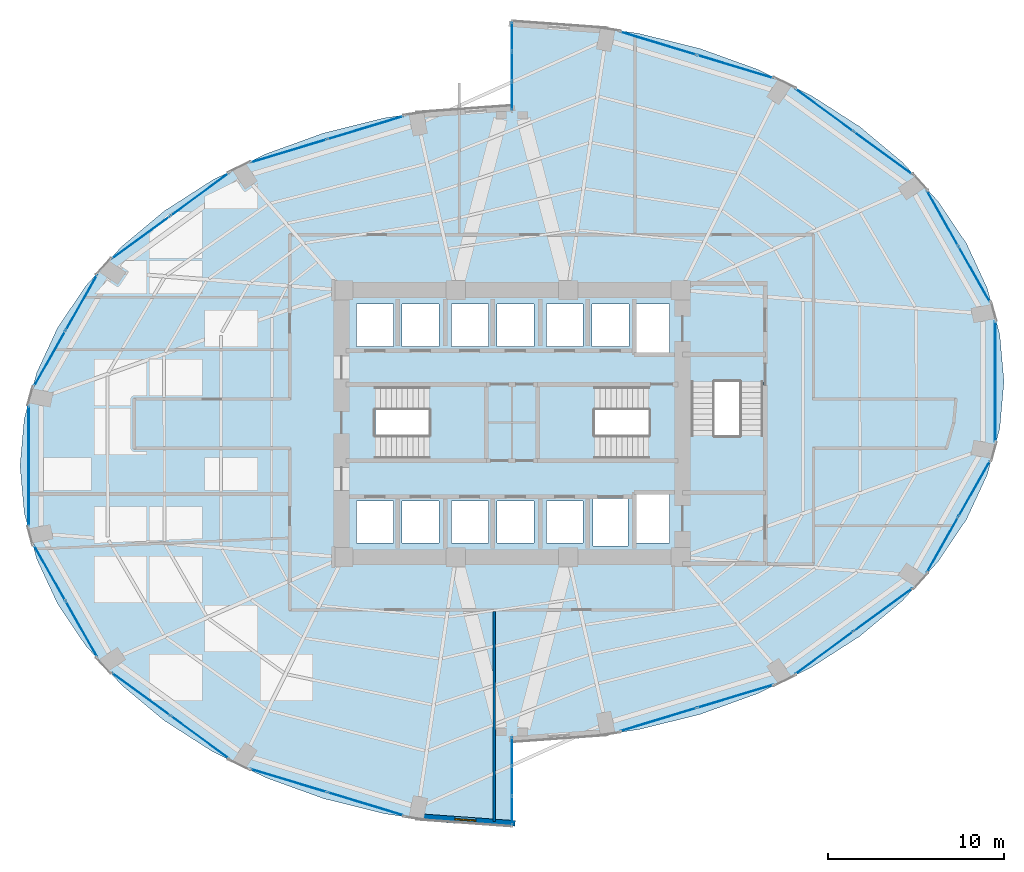
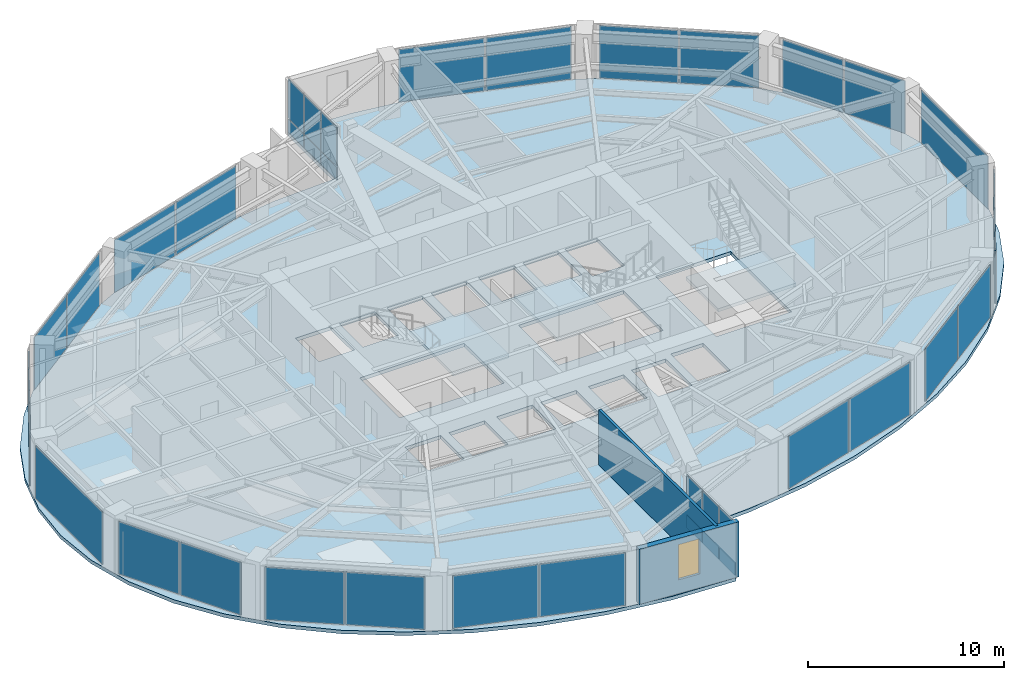
# One storey, part 20 of 25: 38 plates, 4 slabs, 2 walls, 1 window, 1 opening, 19 elements without a shape of their own.
"""IFC4 building model written with IfcOpenShell, lengths in metres."""

from ifc_helpers import new_model, si_unit, direction, frame, frame_2d, origin, origin_2d, place, context, subcontext, project, spatial, polyline, rectangle, outline, extrude, material, layer, layer_set, type_object, element, fill, aggregate, save


model = new_model("IFC4")

# Units and contexts
model_context = context("Model", 3, precision=1e-05, world=origin(), true_north=direction((0.0, 1.0)))
body_context = subcontext(model_context, "Body", "Model", "MODEL_VIEW")
ifc_project = project(units=[si_unit("LENGTHUNIT", "METRE"), si_unit("AREAUNIT", "SQUARE_METRE"), si_unit("VOLUMEUNIT", "CUBIC_METRE"), si_unit("PLANEANGLEUNIT", "RADIAN"), si_unit("MASSUNIT", "GRAM", prefix="KILO")], contexts=[model_context])

# Site, building, storey
site_placement = place(None, origin())
site = spatial("IfcSite", under=ifc_project, at=site_placement, CompositionType="ELEMENT")
building_placement = place(site_placement, origin())
building = spatial("IfcBuilding", under=site, at=building_placement, Name="Lazwardi Medical Tower", CompositionType="ELEMENT")
storey_placement = place(building_placement, frame((0.0, 0.0, 43.43994140625)))
storey = spatial("IfcBuildingStorey", under=building, at=storey_placement, Name="L10", CompositionType="ELEMENT", Elevation=43.43994140625)

# Curtain wall, plates
ifc_material_1 = material(Name="Anodised bronze aluminium and solar control glazing", Category="aluminium")
ifc_layer_1 = layer(ifc_material_1, 0.199951171875)
ifc_layer_set_1 = layer_set([ifc_layer_1], Name="Anodised bronze aluminium and solar control glazing")
curtain_wall_type_1 = type_object("IfcCurtainWallType", Name="CW-SYS-02", PredefinedType="NOTDEFINED", material=ifc_layer_set_1)
curtain_wall_1_placement = place(storey_placement, origin())
curtain_wall_1 = element("IfcCurtainWall", 1, at=curtain_wall_1_placement, inside=storey, type_object=curtain_wall_type_1, Name="L10 Unitised bronze curtain wall CW-02", PredefinedType="NOTDEFINED")
ifc_material_2 = material(Name="Low-e bronze solar control double glazing", Category="glass")
ifc_layer_2 = layer(ifc_material_2, 0.035888671875)
ifc_layer_set_2 = layer_set([ifc_layer_2], Name="Low-e bronze solar control double glazing")
plate_type_1 = type_object("IfcPlateType", Name="PLT-GLZ-01", PredefinedType="CURTAIN_PANEL", material=ifc_layer_set_2)
plate_1_placement = place(storey_placement, frame((44.335693359375, 11.158935546875, 0.0751953125), z_axis=(0.0, 0.0, 1.0), x_axis=(0.957058247129, 0.2898956909, 0.0)))
plate_1 = element("IfcPlate", 2, at=plate_1_placement, type_object=plate_type_1, Name="CW-02 panel 1.1", PredefinedType="CURTAIN_PANEL", context=body_context, shape_type="SweptSolid", body=[
    extrude(rectangle(XDim=4.49658203125, YDim=0.035888671875, at=origin_2d()), origin(), (0.0, 0.0, 1.0), 3.278076171875),
])
plate_2_placement = place(storey_placement, frame((48.7109375, 12.484130859375, 0.0751953125), z_axis=(0.0, 0.0, 1.0), x_axis=(0.957058247129, 0.2898956909, 0.0)))
plate_2 = element("IfcPlate", 3, at=plate_2_placement, type_object=plate_type_1, Name="CW-02 panel 2.1", PredefinedType="CURTAIN_PANEL", context=body_context, shape_type="SweptSolid", body=[
    extrude(rectangle(XDim=4.49658203125, YDim=0.035888671875, at=origin_2d()), origin(), (0.0, 0.0, 1.0), 3.278076171875),
])
aggregate(curtain_wall_1, [plate_1, plate_2])

curtain_wall_2_placement = place(storey_placement, origin())
curtain_wall_2 = element("IfcCurtainWall", 4, at=curtain_wall_2_placement, inside=storey, type_object=curtain_wall_type_1, Name="L10 Unitised bronze curtain wall CW-02", PredefinedType="NOTDEFINED")
plate_3_placement = place(storey_placement, frame((53.771484375, 14.957275390625, 0.0751953125), z_axis=(0.0, 0.0, 1.0), x_axis=(0.807191757663, 0.590289307341, 0.0)))
plate_3 = element("IfcPlate", 5, at=plate_3_placement, type_object=plate_type_1, Name="CW-02 panel 1.1", PredefinedType="CURTAIN_PANEL", context=body_context, shape_type="SweptSolid", body=[
    extrude(rectangle(XDim=4.070068359375, YDim=0.035888671875, at=origin_2d()), origin(), (0.0, 0.0, 1.0), 3.278076171875),
])
plate_4_placement = place(storey_placement, frame((57.117431640625, 17.404052734375, 0.0751953125), z_axis=(0.0, 0.0, 1.0), x_axis=(0.807191757663, 0.590289307341, 0.0)))
plate_4 = element("IfcPlate", 6, at=plate_4_placement, type_object=plate_type_1, Name="CW-02 panel 2.1", PredefinedType="CURTAIN_PANEL", context=body_context, shape_type="SweptSolid", body=[
    extrude(rectangle(XDim=4.070068359375, YDim=0.035888671875, at=origin_2d()), origin(), (0.0, 0.0, 1.0), 3.278076171875),
])
aggregate(curtain_wall_2, [plate_3, plate_4])

curtain_wall_3_placement = place(storey_placement, origin())
curtain_wall_3 = element("IfcCurtainWall", 7, at=curtain_wall_3_placement, inside=storey, type_object=curtain_wall_type_1, Name="L10 Unitised bronze curtain wall CW-02", PredefinedType="NOTDEFINED")
plate_5_placement = place(storey_placement, frame((60.5009765625, 21.10791015625, 0.0751953125), z_axis=(0.0, 0.0, 1.0), x_axis=(0.492854327303, 0.870111838823, 0.0)))
plate_5 = element("IfcPlate", 8, at=plate_5_placement, type_object=plate_type_1, Name="CW-02 panel 1.1", PredefinedType="CURTAIN_PANEL", context=body_context, shape_type="SweptSolid", body=[
    extrude(rectangle(XDim=3.5947265625, YDim=0.035888671875, at=origin_2d()), origin(), (0.0, 0.0, 1.0), 3.278076171875),
])
plate_6_placement = place(storey_placement, frame((62.3095703125, 24.301025390625, 0.0751953125), z_axis=(0.0, 0.0, 1.0), x_axis=(0.492854327303, 0.870111838823, 0.0)))
plate_6 = element("IfcPlate", 9, at=plate_6_placement, type_object=plate_type_1, Name="CW-02 panel 2.1", PredefinedType="CURTAIN_PANEL", context=body_context, shape_type="SweptSolid", body=[
    extrude(rectangle(XDim=3.5947265625, YDim=0.035888671875, at=origin_2d()), origin(), (0.0, 0.0, 1.0), 3.278076171875),
])
aggregate(curtain_wall_3, [plate_5, plate_6])

# Curtain wall, plate
curtain_wall_4_placement = place(storey_placement, origin())
curtain_wall_4 = element("IfcCurtainWall", 10, at=curtain_wall_4_placement, inside=storey, type_object=curtain_wall_type_1, Name="L10 Unitised bronze curtain wall CW-02", PredefinedType="NOTDEFINED")
plate_7_placement = place(storey_placement, frame((63.49853515625, 30.39990234375, 0.0751953125), z_axis=(0.0, 0.0, 1.0), x_axis=(0.0, 1.0, 0.0)))
plate_7 = element("IfcPlate", 11, at=plate_7_placement, type_object=plate_type_1, Name="CW-02 panel 1.1", PredefinedType="CURTAIN_PANEL", context=body_context, shape_type="SweptSolid", body=[
    extrude(rectangle(XDim=6.8330078125, YDim=0.035888671875, at=origin_2d()), origin(), (0.0, 0.0, 1.0), 3.278076171875),
])
aggregate(curtain_wall_4, [plate_7])

# Curtain wall, plates
curtain_wall_5_placement = place(storey_placement, origin())
curtain_wall_5 = element("IfcCurtainWall", 12, at=curtain_wall_5_placement, inside=storey, type_object=curtain_wall_type_1, Name="L10 Unitised bronze curtain wall CW-02", PredefinedType="NOTDEFINED")
plate_8_placement = place(storey_placement, frame((62.3095703125, 36.498779296875, 0.0751953125), z_axis=(0.0, 0.0, 1.0), x_axis=(-0.492854327303, 0.870111838823, 0.0)))
plate_8 = element("IfcPlate", 13, at=plate_8_placement, type_object=plate_type_1, Name="CW-02 panel 1.1", PredefinedType="CURTAIN_PANEL", context=body_context, shape_type="SweptSolid", body=[
    extrude(rectangle(XDim=3.5947265625, YDim=0.035888671875, at=origin_2d()), origin(), (0.0, 0.0, 1.0), 3.278076171875),
])
plate_9_placement = place(storey_placement, frame((60.5009765625, 39.69189453125, 0.0751953125), z_axis=(0.0, 0.0, 1.0), x_axis=(-0.492854327303, 0.870111838823, 0.0)))
plate_9 = element("IfcPlate", 14, at=plate_9_placement, type_object=plate_type_1, Name="CW-02 panel 2.1", PredefinedType="CURTAIN_PANEL", context=body_context, shape_type="SweptSolid", body=[
    extrude(rectangle(XDim=3.5947265625, YDim=0.035888671875, at=origin_2d()), origin(), (0.0, 0.0, 1.0), 3.278076171875),
])
aggregate(curtain_wall_5, [plate_8, plate_9])

curtain_wall_6_placement = place(storey_placement, origin())
curtain_wall_6 = element("IfcCurtainWall", 15, at=curtain_wall_6_placement, inside=storey, type_object=curtain_wall_type_1, Name="L10 Unitised bronze curtain wall CW-02", PredefinedType="NOTDEFINED")
plate_10_placement = place(storey_placement, frame((57.117431640625, 43.39599609375, 0.0751953125), z_axis=(0.0, 0.0, 1.0), x_axis=(-0.807191757663, 0.590289307341, 0.0)))
plate_10 = element("IfcPlate", 16, at=plate_10_placement, type_object=plate_type_1, Name="CW-02 panel 1.1", PredefinedType="CURTAIN_PANEL", context=body_context, shape_type="SweptSolid", body=[
    extrude(rectangle(XDim=4.070068359375, YDim=0.035888671875, at=origin_2d()), origin(), (0.0, 0.0, 1.0), 3.278076171875),
])
plate_11_placement = place(storey_placement, frame((53.771484375, 45.8427734375, 0.0751953125), z_axis=(0.0, 0.0, 1.0), x_axis=(-0.807191757663, 0.590289307341, 0.0)))
plate_11 = element("IfcPlate", 17, at=plate_11_placement, type_object=plate_type_1, Name="CW-02 panel 2.1", PredefinedType="CURTAIN_PANEL", context=body_context, shape_type="SweptSolid", body=[
    extrude(rectangle(XDim=4.070068359375, YDim=0.035888671875, at=origin_2d()), origin(), (0.0, 0.0, 1.0), 3.278076171875),
])
aggregate(curtain_wall_6, [plate_10, plate_11])

curtain_wall_7_placement = place(storey_placement, origin())
curtain_wall_7 = element("IfcCurtainWall", 18, at=curtain_wall_7_placement, inside=storey, type_object=curtain_wall_type_1, Name="L10 Unitised bronze curtain wall CW-02", PredefinedType="NOTDEFINED")
plate_12_placement = place(storey_placement, frame((48.7109375, 48.31591796875, 0.0751953125), z_axis=(0.0, 0.0, 1.0), x_axis=(-0.957058247129, 0.2898956909, 0.0)))
plate_12 = element("IfcPlate", 19, at=plate_12_placement, type_object=plate_type_1, Name="CW-02 panel 1.1", PredefinedType="CURTAIN_PANEL", context=body_context, shape_type="SweptSolid", body=[
    extrude(rectangle(XDim=4.49658203125, YDim=0.035888671875, at=origin_2d()), origin(), (0.0, 0.0, 1.0), 3.278076171875),
])
plate_13_placement = place(storey_placement, frame((44.335693359375, 49.64111328125, 0.0751953125), z_axis=(0.0, 0.0, 1.0), x_axis=(-0.957058247129, 0.2898956909, 0.0)))
plate_13 = element("IfcPlate", 20, at=plate_13_placement, type_object=plate_type_1, Name="CW-02 panel 2.1", PredefinedType="CURTAIN_PANEL", context=body_context, shape_type="SweptSolid", body=[
    extrude(rectangle(XDim=4.49658203125, YDim=0.035888671875, at=origin_2d()), origin(), (0.0, 0.0, 1.0), 3.278076171875),
])
aggregate(curtain_wall_7, [plate_12, plate_13])

curtain_wall_8_placement = place(storey_placement, origin())
curtain_wall_8 = element("IfcCurtainWall", 21, at=curtain_wall_8_placement, inside=storey, type_object=curtain_wall_type_1, Name="L10 Unitised bronze curtain wall CW-02", PredefinedType="NOTDEFINED")
plate_14_placement = place(storey_placement, frame((27.664306640625, 44.841064453125, 0.0751953125), z_axis=(0.0, 0.0, 1.0), x_axis=(-0.957058247129, -0.2898956909, 0.0)))
plate_14 = element("IfcPlate", 22, at=plate_14_placement, type_object=plate_type_1, Name="CW-02 panel 1.1", PredefinedType="CURTAIN_PANEL", context=body_context, shape_type="SweptSolid", body=[
    extrude(rectangle(XDim=4.49658203125, YDim=0.035888671875, at=origin_2d()), origin(), (0.0, 0.0, 1.0), 3.278076171875),
])
plate_15_placement = place(storey_placement, frame((23.2890625, 43.515869140625, 0.0751953125), z_axis=(0.0, 0.0, 1.0), x_axis=(-0.957058247129, -0.2898956909, 0.0)))
plate_15 = element("IfcPlate", 23, at=plate_15_placement, type_object=plate_type_1, Name="CW-02 panel 2.1", PredefinedType="CURTAIN_PANEL", context=body_context, shape_type="SweptSolid", body=[
    extrude(rectangle(XDim=4.49658203125, YDim=0.035888671875, at=origin_2d()), origin(), (0.0, 0.0, 1.0), 3.278076171875),
])
aggregate(curtain_wall_8, [plate_14, plate_15])

curtain_wall_9_placement = place(storey_placement, origin())
curtain_wall_9 = element("IfcCurtainWall", 24, at=curtain_wall_9_placement, inside=storey, type_object=curtain_wall_type_1, Name="L10 Unitised bronze curtain wall CW-02", PredefinedType="NOTDEFINED")
plate_16_placement = place(storey_placement, frame((18.228515625, 41.042724609375, 0.0751953125), z_axis=(0.0, 0.0, 1.0), x_axis=(-0.807191757663, -0.590289307341, 0.0)))
plate_16 = element("IfcPlate", 25, at=plate_16_placement, type_object=plate_type_1, Name="CW-02 panel 1.1", PredefinedType="CURTAIN_PANEL", context=body_context, shape_type="SweptSolid", body=[
    extrude(rectangle(XDim=4.070068359375, YDim=0.035888671875, at=origin_2d()), origin(), (0.0, 0.0, 1.0), 3.278076171875),
])
plate_17_placement = place(storey_placement, frame((14.882568359375, 38.595947265625, 0.0751953125), z_axis=(0.0, 0.0, 1.0), x_axis=(-0.807191757663, -0.590289307341, 0.0)))
plate_17 = element("IfcPlate", 26, at=plate_17_placement, type_object=plate_type_1, Name="CW-02 panel 2.1", PredefinedType="CURTAIN_PANEL", context=body_context, shape_type="SweptSolid", body=[
    extrude(rectangle(XDim=4.070068359375, YDim=0.035888671875, at=origin_2d()), origin(), (0.0, 0.0, 1.0), 3.278076171875),
])
aggregate(curtain_wall_9, [plate_16, plate_17])

curtain_wall_10_placement = place(storey_placement, origin())
curtain_wall_10 = element("IfcCurtainWall", 27, at=curtain_wall_10_placement, inside=storey, type_object=curtain_wall_type_1, Name="L10 Unitised bronze curtain wall CW-02", PredefinedType="NOTDEFINED")
plate_18_placement = place(storey_placement, frame((11.4990234375, 34.89208984375, 0.0751953125), z_axis=(0.0, 0.0, 1.0), x_axis=(-0.492854327303, -0.870111838823, 0.0)))
plate_18 = element("IfcPlate", 28, at=plate_18_placement, type_object=plate_type_1, Name="CW-02 panel 1.1", PredefinedType="CURTAIN_PANEL", context=body_context, shape_type="SweptSolid", body=[
    extrude(rectangle(XDim=3.5947265625, YDim=0.035888671875, at=origin_2d()), origin(), (0.0, 0.0, 1.0), 3.278076171875),
])
plate_19_placement = place(storey_placement, frame((9.6904296875, 31.698974609375, 0.0751953125), z_axis=(0.0, 0.0, 1.0), x_axis=(-0.492854327303, -0.870111838823, 0.0)))
plate_19 = element("IfcPlate", 29, at=plate_19_placement, type_object=plate_type_1, Name="CW-02 panel 2.1", PredefinedType="CURTAIN_PANEL", context=body_context, shape_type="SweptSolid", body=[
    extrude(rectangle(XDim=3.5947265625, YDim=0.035888671875, at=origin_2d()), origin(), (0.0, 0.0, 1.0), 3.278076171875),
])
aggregate(curtain_wall_10, [plate_18, plate_19])

# Curtain wall, plate
curtain_wall_11_placement = place(storey_placement, origin())
curtain_wall_11 = element("IfcCurtainWall", 30, at=curtain_wall_11_placement, inside=storey, type_object=curtain_wall_type_1, Name="L10 Unitised bronze curtain wall CW-02", PredefinedType="NOTDEFINED")
plate_20_placement = place(storey_placement, frame((8.50146484375, 25.60009765625, 0.0751953125), z_axis=(0.0, 0.0, 1.0), x_axis=(0.0, -1.0, 0.0)))
plate_20 = element("IfcPlate", 31, at=plate_20_placement, type_object=plate_type_1, Name="CW-02 panel 1.1", PredefinedType="CURTAIN_PANEL", context=body_context, shape_type="SweptSolid", body=[
    extrude(rectangle(XDim=6.8330078125, YDim=0.035888671875, at=origin_2d()), origin(), (0.0, 0.0, 1.0), 3.278076171875),
])
aggregate(curtain_wall_11, [plate_20])

# Curtain wall, plates
curtain_wall_12_placement = place(storey_placement, origin())
curtain_wall_12 = element("IfcCurtainWall", 32, at=curtain_wall_12_placement, inside=storey, type_object=curtain_wall_type_1, Name="L10 Unitised bronze curtain wall CW-02", PredefinedType="NOTDEFINED")
plate_21_placement = place(storey_placement, frame((9.6904296875, 19.501220703125, 0.0751953125), z_axis=(0.0, 0.0, 1.0), x_axis=(0.492854327303, -0.870111838823, 0.0)))
plate_21 = element("IfcPlate", 33, at=plate_21_placement, type_object=plate_type_1, Name="CW-02 panel 1.1", PredefinedType="CURTAIN_PANEL", context=body_context, shape_type="SweptSolid", body=[
    extrude(rectangle(XDim=3.5947265625, YDim=0.035888671875, at=origin_2d()), origin(), (0.0, 0.0, 1.0), 3.278076171875),
])
plate_22_placement = place(storey_placement, frame((11.4990234375, 16.30810546875, 0.0751953125), z_axis=(0.0, 0.0, 1.0), x_axis=(0.492854327303, -0.870111838823, 0.0)))
plate_22 = element("IfcPlate", 34, at=plate_22_placement, type_object=plate_type_1, Name="CW-02 panel 2.1", PredefinedType="CURTAIN_PANEL", context=body_context, shape_type="SweptSolid", body=[
    extrude(rectangle(XDim=3.5947265625, YDim=0.035888671875, at=origin_2d()), origin(), (0.0, 0.0, 1.0), 3.278076171875),
])
aggregate(curtain_wall_12, [plate_21, plate_22])

curtain_wall_13_placement = place(storey_placement, origin())
curtain_wall_13 = element("IfcCurtainWall", 35, at=curtain_wall_13_placement, inside=storey, type_object=curtain_wall_type_1, Name="L10 Unitised bronze curtain wall CW-02", PredefinedType="NOTDEFINED")
plate_23_placement = place(storey_placement, frame((14.882568359375, 12.60400390625, 0.0751953125), z_axis=(0.0, 0.0, 1.0), x_axis=(0.807191757663, -0.590289307341, 0.0)))
plate_23 = element("IfcPlate", 36, at=plate_23_placement, type_object=plate_type_1, Name="CW-02 panel 1.1", PredefinedType="CURTAIN_PANEL", context=body_context, shape_type="SweptSolid", body=[
    extrude(rectangle(XDim=4.070068359375, YDim=0.035888671875, at=origin_2d()), origin(), (0.0, 0.0, 1.0), 3.278076171875),
])
plate_24_placement = place(storey_placement, frame((18.228515625, 10.1572265625, 0.0751953125), z_axis=(0.0, 0.0, 1.0), x_axis=(0.807191757663, -0.590289307341, 0.0)))
plate_24 = element("IfcPlate", 37, at=plate_24_placement, type_object=plate_type_1, Name="CW-02 panel 2.1", PredefinedType="CURTAIN_PANEL", context=body_context, shape_type="SweptSolid", body=[
    extrude(rectangle(XDim=4.070068359375, YDim=0.035888671875, at=origin_2d()), origin(), (0.0, 0.0, 1.0), 3.278076171875),
])
aggregate(curtain_wall_13, [plate_23, plate_24])

curtain_wall_14_placement = place(storey_placement, origin())
curtain_wall_14 = element("IfcCurtainWall", 38, at=curtain_wall_14_placement, inside=storey, type_object=curtain_wall_type_1, Name="L10 Unitised bronze curtain wall CW-02", PredefinedType="NOTDEFINED")
plate_25_placement = place(storey_placement, frame((23.2890625, 7.68408203125, 0.0751953125), z_axis=(0.0, 0.0, 1.0), x_axis=(0.957058247129, -0.2898956909, 0.0)))
plate_25 = element("IfcPlate", 39, at=plate_25_placement, type_object=plate_type_1, Name="CW-02 panel 1.1", PredefinedType="CURTAIN_PANEL", context=body_context, shape_type="SweptSolid", body=[
    extrude(rectangle(XDim=4.49658203125, YDim=0.035888671875, at=origin_2d()), origin(), (0.0, 0.0, 1.0), 3.278076171875),
])
plate_26_placement = place(storey_placement, frame((27.664306640625, 6.35888671875, 0.0751953125), z_axis=(0.0, 0.0, 1.0), x_axis=(0.957058247129, -0.2898956909, 0.0)))
plate_26 = element("IfcPlate", 40, at=plate_26_placement, type_object=plate_type_1, Name="CW-02 panel 2.1", PredefinedType="CURTAIN_PANEL", context=body_context, shape_type="SweptSolid", body=[
    extrude(rectangle(XDim=4.49658203125, YDim=0.035888671875, at=origin_2d()), origin(), (0.0, 0.0, 1.0), 3.278076171875),
])
aggregate(curtain_wall_14, [plate_25, plate_26])

ifc_layer_3 = layer(ifc_material_1, 0.2099609375)
ifc_layer_set_3 = layer_set([ifc_layer_3], Name="Anodised bronze aluminium and solar control glazing")
curtain_wall_type_2 = type_object("IfcCurtainWallType", Name="CW-SYS-06", PredefinedType="NOTDEFINED", material=ifc_layer_set_3)
curtain_wall_15_placement = place(storey_placement, origin())
curtain_wall_15 = element("IfcCurtainWall", 41, at=curtain_wall_15_placement, inside=storey, type_object=curtain_wall_type_2, Name="L10 Unitised bronze curtain wall CW-06", PredefinedType="NOTDEFINED")
ifc_material_3 = material(Name="Turquoise glazed ceramic insulated panel", Category="glass")
ifc_layer_4 = layer(ifc_material_3, 0.053955078125)
ifc_layer_set_4 = layer_set([ifc_layer_4], Name="Turquoise glazed ceramic insulated panel")
plate_type_2 = type_object("IfcPlateType", Name="PLT-TRQ-01", PredefinedType="CURTAIN_PANEL", material=ifc_layer_set_4)
plate_27_placement = place(storey_placement, frame((36.0, 50.02783203125, 0.074951171875), z_axis=(0.0, 0.0, 1.0), x_axis=(0.0, -1.0, 0.0)))
plate_27 = element("IfcPlate", 42, at=plate_27_placement, type_object=plate_type_2, Name="CW-06 panel 1.1", PredefinedType="CURTAIN_PANEL", context=body_context, shape_type="SweptSolid", body=[
    extrude(rectangle(XDim=1.59423828125, YDim=0.053955078125, at=origin_2d()), origin(), (0.0, 0.0, 1.0), 0.78759765625),
])
plate_28_placement = place(storey_placement, frame((36.0, 50.02783203125, 0.9375), z_axis=(0.0, 0.0, 1.0), x_axis=(0.0, -1.0, 0.0)))
plate_28 = element("IfcPlate", 43, at=plate_28_placement, type_object=plate_type_2, Name="CW-06 panel 1.2", PredefinedType="CURTAIN_PANEL", context=body_context, shape_type="SweptSolid", body=[
    extrude(rectangle(XDim=1.59423828125, YDim=0.053955078125, at=origin_2d()), origin(), (0.0, 0.0, 1.0), 2.41552734375),
])
plate_29_placement = place(storey_placement, frame((36.0, 48.340087890625, 0.074951171875), z_axis=(0.0, 0.0, 1.0), x_axis=(0.0, -1.0, 0.0)))
plate_29 = element("IfcPlate", 44, at=plate_29_placement, type_object=plate_type_2, Name="CW-06 panel 2.1", PredefinedType="CURTAIN_PANEL", context=body_context, shape_type="SweptSolid", body=[
    extrude(rectangle(XDim=1.631591796875, YDim=0.053955078125, at=origin_2d()), origin(), (0.0, 0.0, 1.0), 0.78759765625),
])
plate_30_placement = place(storey_placement, frame((36.0, 48.340087890625, 0.9375), z_axis=(0.0, 0.0, 1.0), x_axis=(0.0, -1.0, 0.0)))
plate_30 = element("IfcPlate", 45, at=plate_30_placement, type_object=plate_type_2, Name="CW-06 panel 2.2", PredefinedType="CURTAIN_PANEL", context=body_context, shape_type="SweptSolid", body=[
    extrude(rectangle(XDim=1.631591796875, YDim=0.053955078125, at=origin_2d()), origin(), (0.0, 0.0, 1.0), 2.41552734375),
])
plate_31_placement = place(storey_placement, frame((36.0, 46.652099609375, 0.074951171875), z_axis=(0.0, 0.0, 1.0), x_axis=(0.0, -1.0, 0.0)))
plate_31 = element("IfcPlate", 46, at=plate_31_placement, type_object=plate_type_2, Name="CW-06 panel 3.1", PredefinedType="CURTAIN_PANEL", context=body_context, shape_type="SweptSolid", body=[
    extrude(rectangle(XDim=1.59423828125, YDim=0.053955078125, at=origin_2d()), origin(), (0.0, 0.0, 1.0), 0.78759765625),
])
plate_32_placement = place(storey_placement, frame((36.0, 46.652099609375, 0.9375), z_axis=(0.0, 0.0, 1.0), x_axis=(0.0, -1.0, 0.0)))
plate_32 = element("IfcPlate", 47, at=plate_32_placement, type_object=plate_type_2, Name="CW-06 panel 3.2", PredefinedType="CURTAIN_PANEL", context=body_context, shape_type="SweptSolid", body=[
    extrude(rectangle(XDim=1.59423828125, YDim=0.053955078125, at=origin_2d()), origin(), (0.0, 0.0, 1.0), 2.41552734375),
])
aggregate(curtain_wall_15, [plate_27, plate_28, plate_29, plate_30, plate_31, plate_32])

curtain_wall_16_placement = place(storey_placement, origin())
curtain_wall_16 = element("IfcCurtainWall", 48, at=curtain_wall_16_placement, inside=storey, type_object=curtain_wall_type_2, Name="L10 Unitised bronze curtain wall CW-06", PredefinedType="NOTDEFINED")
plate_33_placement = place(storey_placement, frame((36.0, 5.97216796875, 0.074951171875), z_axis=(0.0, 0.0, 1.0), x_axis=(0.0, 1.0, 0.0)))
plate_33 = element("IfcPlate", 49, at=plate_33_placement, type_object=plate_type_2, Name="CW-06 panel 1.1", PredefinedType="CURTAIN_PANEL", context=body_context, shape_type="SweptSolid", body=[
    extrude(rectangle(XDim=1.59423828125, YDim=0.053955078125, at=origin_2d()), origin(), (0.0, 0.0, 1.0), 0.78759765625),
])
plate_34_placement = place(storey_placement, frame((36.0, 5.97216796875, 0.9375), z_axis=(0.0, 0.0, 1.0), x_axis=(0.0, 1.0, 0.0)))
plate_34 = element("IfcPlate", 50, at=plate_34_placement, type_object=plate_type_2, Name="CW-06 panel 1.2", PredefinedType="CURTAIN_PANEL", context=body_context, shape_type="SweptSolid", body=[
    extrude(rectangle(XDim=1.59423828125, YDim=0.053955078125, at=origin_2d()), origin(), (0.0, 0.0, 1.0), 2.41552734375),
])
plate_35_placement = place(storey_placement, frame((36.0, 7.659912109375, 0.074951171875), z_axis=(0.0, 0.0, 1.0), x_axis=(0.0, 1.0, 0.0)))
plate_35 = element("IfcPlate", 51, at=plate_35_placement, type_object=plate_type_2, Name="CW-06 panel 2.1", PredefinedType="CURTAIN_PANEL", context=body_context, shape_type="SweptSolid", body=[
    extrude(rectangle(XDim=1.631591796875, YDim=0.053955078125, at=origin_2d()), origin(), (0.0, 0.0, 1.0), 0.78759765625),
])
plate_36_placement = place(storey_placement, frame((36.0, 7.659912109375, 0.9375), z_axis=(0.0, 0.0, 1.0), x_axis=(0.0, 1.0, 0.0)))
plate_36 = element("IfcPlate", 52, at=plate_36_placement, type_object=plate_type_2, Name="CW-06 panel 2.2", PredefinedType="CURTAIN_PANEL", context=body_context, shape_type="SweptSolid", body=[
    extrude(rectangle(XDim=1.631591796875, YDim=0.053955078125, at=origin_2d()), origin(), (0.0, 0.0, 1.0), 2.41552734375),
])
plate_37_placement = place(storey_placement, frame((36.0, 9.347900390625, 0.074951171875), z_axis=(0.0, 0.0, 1.0), x_axis=(0.0, 1.0, 0.0)))
plate_37 = element("IfcPlate", 53, at=plate_37_placement, type_object=plate_type_2, Name="CW-06 panel 3.1", PredefinedType="CURTAIN_PANEL", context=body_context, shape_type="SweptSolid", body=[
    extrude(rectangle(XDim=1.59423828125, YDim=0.053955078125, at=origin_2d()), origin(), (0.0, 0.0, 1.0), 0.78759765625),
])
plate_38_placement = place(storey_placement, frame((36.0, 9.347900390625, 0.9375), z_axis=(0.0, 0.0, 1.0), x_axis=(0.0, 1.0, 0.0)))
plate_38 = element("IfcPlate", 54, at=plate_38_placement, type_object=plate_type_2, Name="CW-06 panel 3.2", PredefinedType="CURTAIN_PANEL", context=body_context, shape_type="SweptSolid", body=[
    extrude(rectangle(XDim=1.59423828125, YDim=0.053955078125, at=origin_2d()), origin(), (0.0, 0.0, 1.0), 2.41552734375),
])
aggregate(curtain_wall_16, [plate_33, plate_34, plate_35, plate_36, plate_37, plate_38])

# Stair, slab
ifc_material_4 = material(Name="Concrete C45/55", Category="concrete")
stair_type = type_object("IfcStairType", Name="STR-WRD", PredefinedType="HALF_TURN_STAIR", material=ifc_material_4)
stair_1_placement = place(storey_placement, origin())
stair_1 = element("IfcStair", 55, at=stair_1_placement, inside=storey, type_object=stair_type, Name="L10 Protected Exit Stair ST1", PredefinedType="HALF_TURN_STAIR")
ifc_layer_5 = layer(ifc_material_4, 0.199951171875)
ifc_layer_set_5 = layer_set([ifc_layer_5], Name="Concrete C45/55")
slab_type_1 = type_object("IfcSlabType", Name="SLB-LND-190", PredefinedType="LANDING", material=ifc_layer_set_5)
slab_1_placement = place(storey_placement, frame((0.0, 0.0, 1.6240234375)))
slab_1 = element("IfcSlab", 56, at=slab_1_placement, type_object=slab_type_1, Name="ST1 landing 1", PredefinedType="LANDING", context=body_context, shape_type="SweptSolid", body=[
    extrude(outline(polyline([(31.27490234375, 25.840087890625), (34.580078125, 25.840087890625), (34.580078125, 30.280029296875), (31.27490234375, 30.280029296875), (31.27490234375, 25.840087890625)])), origin(), (0.0, 0.0, 1.0), 0.199951171875),
])
aggregate(stair_1, [slab_1])

stair_2_placement = place(storey_placement, origin())
stair_2 = element("IfcStair", 57, at=stair_2_placement, inside=storey, type_object=stair_type, Name="L10 Protected Exit Stair ST2", PredefinedType="HALF_TURN_STAIR")
slab_2_placement = place(storey_placement, frame((0.0, 0.0, 1.6240234375)))
slab_2 = element("IfcSlab", 58, at=slab_2_placement, type_object=slab_type_1, Name="ST2 landing 1", PredefinedType="LANDING", context=body_context, shape_type="SweptSolid", body=[
    extrude(outline(polyline([(40.72509765625, 30.280029296875), (37.419921875, 30.280029296875), (37.419921875, 25.840087890625), (40.72509765625, 25.840087890625), (40.72509765625, 30.280029296875)])), origin(), (0.0, 0.0, 1.0), 0.199951171875),
])
aggregate(stair_2, [slab_2])

stair_3_placement = place(storey_placement, origin())
stair_3 = element("IfcStair", 59, at=stair_3_placement, inside=storey, type_object=stair_type, Name="L10 Protected Exit Stair ST3", PredefinedType="HALF_TURN_STAIR")
slab_3_placement = place(storey_placement, frame((0.0, 0.0, 1.6240234375)))
slab_3 = element("IfcSlab", 60, at=slab_3_placement, type_object=slab_type_1, Name="ST3 landing 1", PredefinedType="LANDING", context=body_context, shape_type="SweptSolid", body=[
    extrude(outline(polyline([(45.860107421875, 27.324951171875), (45.860107421875, 24.02001953125), (50.4599609375, 24.02001953125), (50.4599609375, 27.324951171875), (45.860107421875, 27.324951171875)])), origin(), (0.0, 0.0, 1.0), 0.199951171875),
])
aggregate(stair_3, [slab_3])

# Slab
ifc_material_5 = material(Name="Concrete C50/60", Category="concrete")
ifc_layer_6 = layer(ifc_material_5, 0.219970703125)
ifc_layer_set_6 = layer_set([ifc_layer_6], Name="Concrete C50/60")
slab_type_2 = type_object("IfcSlabType", Name="SLB-WRD-220", PredefinedType="FLOOR", material=ifc_layer_set_6)
slab_4_placement = place(storey_placement, frame((0.0, 0.0, -0.219970703125)))
element("IfcSlab", 61, at=slab_4_placement, inside=storey, type_object=slab_type_2, Name="Structural floor slab SF-03 L10", PredefinedType="FLOOR", context=body_context, shape_type="SweptSolid", body=[
    extrude(outline(polyline([(10.13134765625, 33.445068359375), (8.9541015625, 30.90576171875), (8.239501953125, 28.27587890625), (8.0, 25.60009765625), (8.239501953125, 22.92431640625), (8.9541015625, 20.294189453125), (10.13134765625, 17.7548828125), (11.751220703125, 15.35009765625), (13.7861328125, 13.120361328125), (16.200927734375, 11.104248046875), (18.95458984375, 9.336181640625), (22.0, 7.846435546875), (25.284912109375, 6.660400390625), (28.753173828125, 5.798583984375), (32.34521484375, 5.275390625), (36.0, 5.10009765625), (36.0, 9.89990234375), (39.65478515625, 10.075439453125), (43.246826171875, 10.598388671875), (46.715087890625, 11.46044921875), (50.0, 12.646484375), (53.04541015625, 14.13623046875), (55.799072265625, 15.904296875), (58.2138671875, 17.92041015625), (60.248779296875, 20.14990234375), (61.86865234375, 22.554931640625), (63.0458984375, 25.09423828125), (63.760498046875, 27.72412109375), (64.0, 30.39990234375), (63.760498046875, 33.07568359375), (63.0458984375, 35.705810546875), (61.86865234375, 38.2451171875), (60.248779296875, 40.64990234375), (58.2138671875, 42.879638671875), (55.799072265625, 44.895751953125), (53.04541015625, 46.663818359375), (50.0, 48.153564453125), (46.715087890625, 49.339599609375), (43.246826171875, 50.201416015625), (39.65478515625, 50.724609375), (36.0, 50.89990234375), (36.0, 46.10009765625), (32.34521484375, 45.924560546875), (28.753173828125, 45.401611328125), (25.284912109375, 44.53955078125), (22.0, 43.353515625), (18.95458984375, 41.86376953125), (16.200927734375, 40.095703125), (13.7861328125, 38.07958984375), (11.751220703125, 35.85009765625), (10.13134765625, 33.445068359375)]), holes=[polyline([(28.22509765625, 26.02001953125), (28.22509765625, 30.10009765625), (34.39990234375, 30.10009765625), (34.39990234375, 26.02001953125), (28.22509765625, 26.02001953125)]), polyline([(37.60009765625, 30.10009765625), (43.77490234375, 30.10009765625), (43.77490234375, 26.02001953125), (37.60009765625, 26.02001953125), (37.60009765625, 30.10009765625)]), polyline([(50.280029296875, 30.375), (50.280029296875, 24.179931640625), (45.840087890625, 24.179931640625), (45.840087890625, 30.375), (50.280029296875, 30.375)]), polyline([(29.25, 32.39990234375), (27.14990234375, 32.39990234375), (27.14990234375, 34.800048828125), (29.25, 34.800048828125), (29.25, 32.39990234375)]), polyline([(29.75, 32.39990234375), (29.75, 34.800048828125), (31.85009765625, 34.800048828125), (31.85009765625, 32.39990234375), (29.75, 32.39990234375)]), polyline([(27.14990234375, 23.60009765625), (29.25, 23.60009765625), (29.25, 21.199951171875), (27.14990234375, 21.199951171875), (27.14990234375, 23.60009765625)]), polyline([(31.85009765625, 23.60009765625), (31.85009765625, 21.199951171875), (29.75, 21.199951171875), (29.75, 23.60009765625), (31.85009765625, 23.60009765625)]), polyline([(34.64990234375, 32.39990234375), (32.550048828125, 32.39990234375), (32.550048828125, 34.800048828125), (34.64990234375, 34.800048828125), (34.64990234375, 32.39990234375)]), polyline([(35.14990234375, 32.39990234375), (35.14990234375, 34.800048828125), (37.25, 34.800048828125), (37.25, 32.39990234375), (35.14990234375, 32.39990234375)]), polyline([(32.550048828125, 23.60009765625), (34.64990234375, 23.60009765625), (34.64990234375, 21.199951171875), (32.550048828125, 21.199951171875), (32.550048828125, 23.60009765625)]), polyline([(37.25, 23.60009765625), (37.25, 21.199951171875), (35.14990234375, 21.199951171875), (35.14990234375, 23.60009765625), (37.25, 23.60009765625)]), polyline([(40.050048828125, 32.39990234375), (37.949951171875, 32.39990234375), (37.949951171875, 34.800048828125), (40.050048828125, 34.800048828125), (40.050048828125, 32.39990234375)]), polyline([(40.550048828125, 32.39990234375), (40.550048828125, 34.800048828125), (42.64990234375, 34.800048828125), (42.64990234375, 32.39990234375), (40.550048828125, 32.39990234375)]), polyline([(37.949951171875, 23.60009765625), (40.050048828125, 23.60009765625), (40.050048828125, 21.199951171875), (37.949951171875, 21.199951171875), (37.949951171875, 23.60009765625)]), polyline([(44.949951171875, 34.800048828125), (44.949951171875, 32.0), (43.050048828125, 32.0), (43.050048828125, 34.800048828125), (44.949951171875, 34.800048828125)]), polyline([(44.949951171875, 21.199951171875), (43.050048828125, 21.199951171875), (43.050048828125, 24.0), (44.949951171875, 24.0), (44.949951171875, 21.199951171875)]), polyline([(40.60009765625, 21.050048828125), (40.60009765625, 23.75), (42.60009765625, 23.75), (42.60009765625, 21.050048828125), (40.60009765625, 21.050048828125)])]), origin(), (0.0, 0.0, 1.0), 0.219970703125),
])

# Wall, opening, window
ifc_material_6 = material(Name="Precast concrete C45/55", Category="concrete")
ifc_layer_7 = layer(ifc_material_6, 0.320068359375)
ifc_layer_set_7 = layer_set([ifc_layer_7], Name="Precast concrete C45/55")
wall_type_1 = type_object("IfcWallType", Name="WL-IWAN-320", PredefinedType="SOLIDWALL", material=ifc_layer_set_7)
wall_1_placement = place(storey_placement, frame((30.518798828125, 5.654296875, 0.0), z_axis=(0.0, 0.0, 1.0), x_axis=(0.997421878774, -0.071760683825, 0.0)))
wall_1 = element("IfcWall", 62, at=wall_1_placement, inside=storey, type_object=wall_type_1, Name="L10 Iwan Portal Return Wall SW_ret", PredefinedType="SOLIDWALL", context=body_context, shape_type="SweptSolid", body=[
    extrude(rectangle(XDim=5.6748046875, YDim=0.320068359375, at=frame_2d((2.83740234375, 0.0))), origin(), (0.0, 0.0, 1.0), 3.427978515625),
])
opening_placement = place(wall_1_placement, frame((2.2373046875, 0.0, 0.85009765625)))
opening = element("IfcOpeningElement", 63, at=opening_placement, cuts=wall_1, Name="Opening WN-01", PredefinedType="OPENING", context=body_context, shape_type="SweptSolid", body=[
    extrude(rectangle(XDim=1.199951171875, YDim=2.199951171875, at=frame_2d((0.60009765625, 1.10009765625))), frame((0.0, 0.169921875, 0.0), z_axis=(0.0, -1.0, 0.0), x_axis=(1.0, 0.0, 0.0)), (0.0, 0.0, 1.0), 0.340087890625),
])
window_type = type_object("IfcWindowType", Name="WIN-IW-1200", PartitioningType="SINGLE_PANEL", PredefinedType="WINDOW", material=ifc_material_2)
window_placement = place(opening_placement, origin())
window = element("IfcWindow", 64, at=window_placement, inside=storey, type_object=window_type, Name="L10 Iwan Slot Window SW_ret", OverallHeight=2.199951171875, OverallWidth=1.199951171875, PartitioningType="SINGLE_PANEL", PredefinedType="WINDOW", context=body_context, shape_type="SweptSolid", body=[
    extrude(rectangle(XDim=1.199951171875, YDim=2.199951171875, at=frame_2d((0.60009765625, 1.10009765625))), frame((0.0, 0.030029296875, 0.0), z_axis=(0.0, -1.0, 0.0), x_axis=(1.0, 0.0, 0.0)), (0.0, 0.0, 1.0), 0.06005859375),
])
fill(opening, window)

# Wall
ifc_material_7 = material(Name="Acoustic gypsum board partition")
ifc_layer_8 = layer(ifc_material_7, 0.14990234375)
ifc_layer_set_8 = layer_set([ifc_layer_8], Name="Acoustic gypsum board partition")
wall_type_2 = type_object("IfcWallType", Name="WL-WRD-150", PredefinedType="PARTITIONING", material=ifc_layer_set_8)
wall_2_placement = place(storey_placement, frame((35.0, 5.355712890625, 0.0), z_axis=(0.0, 0.0, 1.0), x_axis=(0.0, 1.0, 0.0)))
element("IfcWall", 65, at=wall_2_placement, inside=storey, type_object=wall_type_2, Name="L10 Room partition 8", PredefinedType="PARTITIONING", context=body_context, shape_type="SweptSolid", body=[
    extrude(rectangle(XDim=11.954345703125, YDim=0.14990234375, at=frame_2d((5.97705078125, 0.0))), origin(), (0.0, 0.0, 1.0), 3.427978515625),
])

save(model, "model.ifc")
